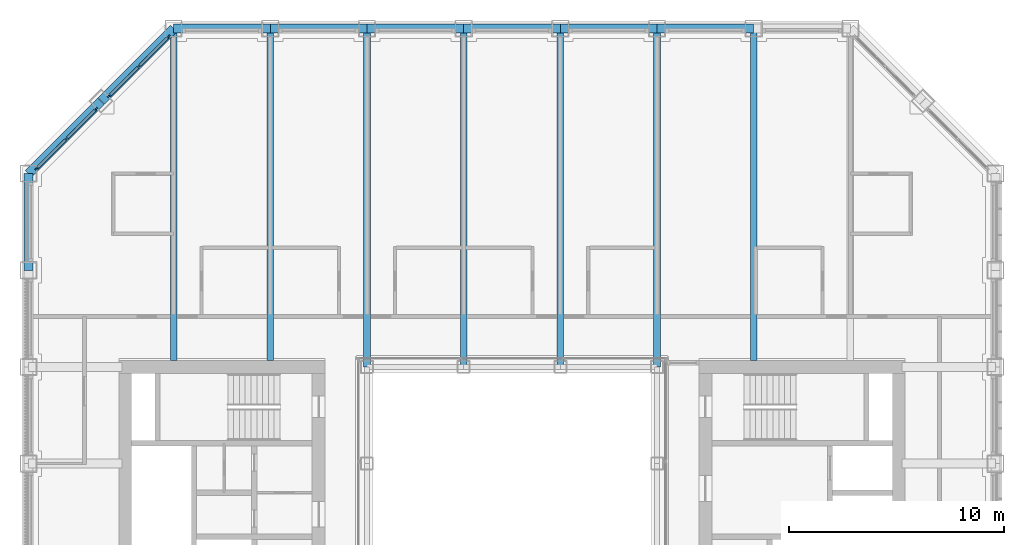
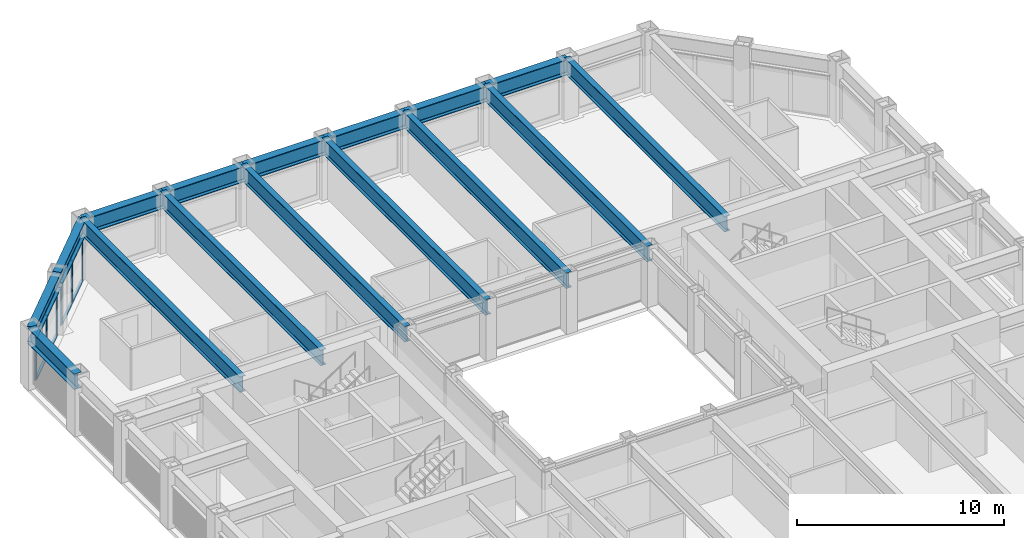
# One storey, part 7 of 17: 16 beams, 14 members, 2 elements without a shape of their own.
"""IFC4 building model written with IfcOpenShell, lengths in metres."""

import ifcopenshell
import ifcopenshell.guid

model = None  # the IFC model being written
_history = None  # IfcOwnerHistory: only IFC2X3 demands one
_inside = {}  # id of a spatial element -> (the spatial element, [elements in it])
_under = {}  # id of a project, library or spatial element -> (it, [spatial elements below it])
_declared = {}  # id of a project -> (the project, [libraries it declares])
_typed = {}  # id of a type object -> (the type object, [elements of that type])
_made_of = {}  # id of a material, layer set ... -> (it, [elements and type objects made of it])


def new_model(schema):
    """Start an empty IFC model of exactly this schema.

    Asked for "IFC4X3", IfcOpenShell would pick the latest addendum, in which some entities
    have other attributes; the version numbers below select the first issue.
    IFC2X3 requires an IfcOwnerHistory on every rooted entity: one is made here for all.
    """
    global model, _history
    if schema == "IFC4X3":
        model = ifcopenshell.file(schema_version=(4, 3, 0, 0))
    else:
        model = ifcopenshell.file(schema=schema)
    _inside.clear()
    _under.clear()
    _declared.clear()
    _typed.clear()
    _made_of.clear()
    _history = None
    if model.schema == "IFC2X3":
        org = make("IfcOrganization", Name="unknown")
        user = make(
            "IfcPersonAndOrganization",
            ThePerson=make("IfcPerson", FamilyName="unknown"),
            TheOrganization=org,
        )
        app = make(
            "IfcApplication",
            ApplicationDeveloper=org,
            Version="unknown",
            ApplicationFullName="unknown",
            ApplicationIdentifier="unknown",
        )
        _history = make(
            "IfcOwnerHistory",
            OwningUser=user,
            OwningApplication=app,
            ChangeAction="ADDED",
            CreationDate=0,
        )
    return model


def make(cls, **values):
    """One entity of the class cls with the attributes given. An attribute that is None is left unset."""
    return model.create_entity(
        cls, **{name: value for name, value in values.items() if value is not None}
    )


def rooted(cls, **values):
    """An entity with a GlobalId (a new one), such as an element, a storey or a relation."""
    return make(cls, GlobalId=ifcopenshell.guid.new(), OwnerHistory=_history, **values)


def si_unit(unit_type, name, prefix=None):
    """IfcSIUnit, for example si_unit("LENGTHUNIT", "METRE", prefix="MILLI")."""
    return make("IfcSIUnit", UnitType=unit_type, Prefix=prefix, Name=name)


def assignment(units):
    """IfcUnitAssignment: the units of a project."""
    return None if units is None else make("IfcUnitAssignment", Units=units)


def point(xyz):
    """IfcCartesianPoint."""
    return None if xyz is None else make("IfcCartesianPoint", Coordinates=xyz)


def direction(xyz):
    """IfcDirection."""
    return None if xyz is None else make("IfcDirection", DirectionRatios=xyz)


def frame(location, z_axis=None, x_axis=None):
    """IfcAxis2Placement3D, a coordinate frame: its origin and axes. An axis left out is left unset."""
    return make(
        "IfcAxis2Placement3D",
        Location=point(location),
        Axis=direction(z_axis),
        RefDirection=direction(x_axis),
    )


def frame_2d(location, x_axis=None):
    """IfcAxis2Placement2D, a coordinate frame in the plane: its origin and x axis."""
    return make(
        "IfcAxis2Placement2D", Location=point(location), RefDirection=direction(x_axis)
    )


def origin():
    """The frame at (0, 0, 0) with its axes left unset."""
    return frame((0.0, 0.0, 0.0))


def origin_2d():
    """The frame at (0, 0) in the plane with its x axis left unset."""
    return frame_2d((0.0, 0.0))


def place(relative_to, where):
    """IfcLocalPlacement: puts the frame where relative to a parent placement (None: the world)."""
    return make(
        "IfcLocalPlacement", PlacementRelTo=relative_to, RelativePlacement=where
    )


def context(
    kind, dimensions, precision=None, world=None, true_north=None, identifier=None
):
    """IfcGeometricRepresentationContext, for example the 3D "Model" context."""
    return make(
        "IfcGeometricRepresentationContext",
        ContextIdentifier=identifier,
        ContextType=kind,
        CoordinateSpaceDimension=dimensions,
        Precision=precision,
        WorldCoordinateSystem=world,
        TrueNorth=true_north,
    )


def subcontext(parent, identifier, kind, view, scale=None):
    """IfcGeometricRepresentationSubContext, for example "Body" below "Model"."""
    return make(
        "IfcGeometricRepresentationSubContext",
        ContextIdentifier=identifier,
        ContextType=kind,
        ParentContext=parent,
        TargetScale=scale,
        TargetView=view,
    )


def project(units=None, contexts=None):
    """IfcProject with its units and contexts."""
    return rooted(
        "IfcProject",
        Name="project",
        RepresentationContexts=contexts,
        UnitsInContext=assignment(units),
    )


def spatial(cls, under=None, at=None, **own):
    """A site, building, storey or space (cls), placed at a placement, below another one or the project."""
    s = rooted(cls, ObjectPlacement=at, **own)
    if under is not None:
        _under.setdefault(under.id(), (under, []))[1].append(s)
    return s


def profile(cls, at=None, kind="AREA", **sizes):
    """A parametric profile (cls). Its sizes go by their IFC names, for example OverallWidth=200.0."""
    return make(cls, ProfileType=kind, Position=at, **sizes)


def rectangle(**sizes):
    """IfcRectangleProfileDef."""
    return profile("IfcRectangleProfileDef", **sizes)


def i_section(**sizes):
    """IfcIShapeProfileDef."""
    return profile("IfcIShapeProfileDef", **sizes)


def extrude(swept, where, along, depth):
    """IfcExtrudedAreaSolid: the profile swept, set in the frame where, extruded along a direction by depth."""
    return make(
        "IfcExtrudedAreaSolid",
        SweptArea=swept,
        Position=where,
        ExtrudedDirection=direction(along),
        Depth=depth,
    )


def shape(context_of_items, identifier, shape_type, items):
    """IfcShapeRepresentation: the items that make up one representation, for example the "Body"."""
    return make(
        "IfcShapeRepresentation",
        ContextOfItems=context_of_items,
        RepresentationIdentifier=identifier,
        RepresentationType=shape_type,
        Items=items,
    )


def material(Name=None, Category=None):
    """IfcMaterial."""
    return make("IfcMaterial", Name=Name, Category=Category)


def material_profile(
    of_material, cross_section, Name=None, Category=None, Priority=None
):
    """IfcMaterialProfile: a cross section and its material."""
    return make(
        "IfcMaterialProfile",
        Name=Name,
        Material=of_material,
        Profile=cross_section,
        Priority=Priority,
        Category=Category,
    )


def profile_set(profiles, Name=None, composite=None):
    """IfcMaterialProfileSet."""
    return make(
        "IfcMaterialProfileSet",
        Name=Name,
        MaterialProfiles=profiles,
        CompositeProfile=composite,
    )


def made_of(thing, what):
    """Note that an element or type object is made of a material, layer set ...; save() writes the relation."""
    if what is not None:
        _made_of.setdefault(what.id(), (what, []))[1].append(thing)
    return thing


def type_object(cls, material=None, **own):
    """A type object (cls), such as IfcWallType, which elements share."""
    return made_of(rooted(cls, **own), material)


def element(
    cls,
    number,
    at=None,
    inside=None,
    cuts=None,
    type_object=None,
    material=None,
    context=None,
    identifier="Body",
    shape_type=None,
    held_by="IfcProductDefinitionShape",
    body=None,
    shapes=None,
    **own,
):
    """One element of the class cls, such as IfcWall. Its Tag is "e" and its number.

    at: its placement. inside: the storey or other place that contains it. cuts: it is an
    opening in that element (IfcRelVoidsElement). A single representation is given by context,
    identifier, shape_type and body (its items); several are given by shapes. held_by: the class
    of the entity that holds the representations. save() writes the other relations.
    """
    e = rooted(cls, Tag="e%d" % number, ObjectPlacement=at, **own)
    if body is not None:
        shapes = [shape(context, identifier, shape_type, body)]
    if shapes is not None:
        e.Representation = make(held_by, Representations=shapes)
    if inside is not None:
        _inside.setdefault(inside.id(), (inside, []))[1].append(e)
    if cuts is not None:
        rooted(
            "IfcRelVoidsElement", RelatingBuildingElement=cuts, RelatedOpeningElement=e
        )
    if type_object is not None:
        _typed.setdefault(type_object.id(), (type_object, []))[1].append(e)
    return made_of(e, material)


def aggregate(whole, parts):
    """IfcRelAggregates: a whole, such as a stair, and the parts it consists of."""
    return rooted("IfcRelAggregates", RelatingObject=whole, RelatedObjects=parts)


def save(model, path):
    """Write the relations noted so far, then the file.

    IfcRelAggregates (storeys below a building ...), IfcRelContainedInSpatialStructure (elements
    in a storey), IfcRelDefinesByType, IfcRelAssociatesMaterial and IfcRelDeclares: one each for
    every whole, place, type object, material and project.
    """
    for whole, parts in _under.values():
        aggregate(whole, parts)
    for where, things in _inside.values():
        rooted(
            "IfcRelContainedInSpatialStructure",
            RelatedElements=things,
            RelatingStructure=where,
        )
    for kind, things in _typed.values():
        rooted("IfcRelDefinesByType", RelatedObjects=things, RelatingType=kind)
    for what, things in _made_of.values():
        rooted("IfcRelAssociatesMaterial", RelatedObjects=things, RelatingMaterial=what)
    for by, libraries in _declared.values():
        rooted("IfcRelDeclares", RelatingContext=by, RelatedDefinitions=libraries)
    model.write(path)


model = new_model("IFC4")

# Units and contexts
model_context = context("Model", 3, precision=1e-05, world=origin(), true_north=direction((0.0, 1.0)))
body_context = subcontext(model_context, "Body", "Model", "MODEL_VIEW")
ifc_project = project(units=[si_unit("LENGTHUNIT", "METRE"), si_unit("AREAUNIT", "SQUARE_METRE"), si_unit("VOLUMEUNIT", "CUBIC_METRE"), si_unit("PLANEANGLEUNIT", "RADIAN"), si_unit("MASSUNIT", "GRAM", prefix="KILO")], contexts=[model_context])

# Site, building, storey
site_placement = place(None, origin())
site = spatial("IfcSite", under=ifc_project, at=site_placement, CompositionType="ELEMENT")
building_placement = place(site_placement, origin())
building = spatial("IfcBuilding", under=site, at=building_placement, Name="Msasa Ring Tower", CompositionType="ELEMENT")
storey_placement = place(building_placement, frame((0.0, 0.0, 147.199951171875)))
storey = spatial("IfcBuildingStorey", under=building, at=storey_placement, Name="L38", CompositionType="ELEMENT", Elevation=147.199951171875)

# Curtain wall, members
ifc_material_1 = material(Name="Aluminium curtain wall with clear glass", Category="aluminium")
curtain_wall_type = type_object("IfcCurtainWallType", Name="CW-C CHAMFER CORNER CURTAIN WALL", PredefinedType="NOTDEFINED", material=ifc_material_1)
curtain_wall_1_placement = place(storey_placement, origin())
curtain_wall_1 = element("IfcCurtainWall", 1, at=curtain_wall_1_placement, inside=storey, type_object=curtain_wall_type, Name="Chamfer corner curtain wall NW L38", PredefinedType="NOTDEFINED")
ifc_material_2 = material(Name="Aluminium mullion", Category="aluminium")
ifc_material_profile_1 = material_profile(ifc_material_2, rectangle(XDim=0.06494140625, YDim=0.179931640625, at=origin_2d()), Name="AL 65x180")
ifc_profile_set_1 = profile_set([ifc_material_profile_1], Name="Aluminium mullion")
member_type_1 = type_object("IfcMemberType", Name="CW-C MULLION 65x180", PredefinedType="MULLION", material=ifc_profile_set_1)
member_1_placement = place(storey_placement, frame((-19.36376953125, 18.744873046875, 0.0), z_axis=(0.0, 0.0, 1.0), x_axis=(0.707106781187, -0.707106781187, 0.0)))
member_1 = element("IfcMember", 2, at=member_1_placement, type_object=member_type_1, Name="CW-C mullion 1", PredefinedType="MULLION", context=body_context, shape_type="SweptSolid", body=[
    extrude(rectangle(XDim=0.06494140625, YDim=0.179931640625, at=origin_2d()), origin(), (0.0, 0.0, 1.0), 2.47900390625),
])
member_2_placement = place(storey_placement, frame((-20.74169921875, 17.36669921875, 0.0), z_axis=(0.0, 0.0, 1.0), x_axis=(0.707106781187, -0.707106781187, 0.0)))
member_2 = element("IfcMember", 3, at=member_2_placement, type_object=member_type_1, Name="CW-C mullion 2", PredefinedType="MULLION", context=body_context, shape_type="SweptSolid", body=[
    extrude(rectangle(XDim=0.06494140625, YDim=0.179931640625, at=origin_2d()), origin(), (0.0, 0.0, 1.0), 2.47900390625),
])
member_3_placement = place(storey_placement, frame((-22.119873046875, 15.98876953125, 0.0), z_axis=(0.0, 0.0, 1.0), x_axis=(0.707106781187, -0.707106781187, 0.0)))
member_3 = element("IfcMember", 4, at=member_3_placement, type_object=member_type_1, Name="CW-C mullion 3", PredefinedType="MULLION", context=body_context, shape_type="SweptSolid", body=[
    extrude(rectangle(XDim=0.06494140625, YDim=0.179931640625, at=origin_2d()), origin(), (0.0, 0.0, 1.0), 2.47900390625),
])

curtain_wall_2_placement = place(storey_placement, origin())
curtain_wall_2 = element("IfcCurtainWall", 5, at=curtain_wall_2_placement, inside=storey, type_object=curtain_wall_type, Name="Chamfer corner curtain wall NW L38", PredefinedType="NOTDEFINED")
member_4_placement = place(storey_placement, frame((-15.98876953125, 22.119873046875, 0.0), z_axis=(0.0, 0.0, 1.0), x_axis=(0.707106781187, -0.707106781187, 0.0)))
member_4 = element("IfcMember", 6, at=member_4_placement, type_object=member_type_1, Name="CW-C mullion 1", PredefinedType="MULLION", context=body_context, shape_type="SweptSolid", body=[
    extrude(rectangle(XDim=0.06494140625, YDim=0.179931640625, at=origin_2d()), origin(), (0.0, 0.0, 1.0), 2.47900390625),
])
member_5_placement = place(storey_placement, frame((-17.36669921875, 20.74169921875, 0.0), z_axis=(0.0, 0.0, 1.0), x_axis=(0.707106781187, -0.707106781187, 0.0)))
member_5 = element("IfcMember", 7, at=member_5_placement, type_object=member_type_1, Name="CW-C mullion 2", PredefinedType="MULLION", context=body_context, shape_type="SweptSolid", body=[
    extrude(rectangle(XDim=0.06494140625, YDim=0.179931640625, at=origin_2d()), origin(), (0.0, 0.0, 1.0), 2.47900390625),
])
member_6_placement = place(storey_placement, frame((-18.744873046875, 19.36376953125, 0.0), z_axis=(0.0, 0.0, 1.0), x_axis=(0.707106781187, -0.707106781187, 0.0)))
member_6 = element("IfcMember", 8, at=member_6_placement, type_object=member_type_1, Name="CW-C mullion 3", PredefinedType="MULLION", context=body_context, shape_type="SweptSolid", body=[
    extrude(rectangle(XDim=0.06494140625, YDim=0.179931640625, at=origin_2d()), origin(), (0.0, 0.0, 1.0), 2.47900390625),
])

# Member
ifc_material_3 = material(Name="Aluminium transom", Category="aluminium")
ifc_material_profile_2 = material_profile(ifc_material_3, rectangle(XDim=0.139892578125, YDim=0.06494140625, at=origin_2d()), Name="AL 65x140")
ifc_profile_set_2 = profile_set([ifc_material_profile_2], Name="Aluminium transom")
member_type_2 = type_object("IfcMemberType", Name="CW-C TRANSOM 65x140", PredefinedType="USERDEFINED", material=ifc_profile_set_2)
member_7_placement = place(storey_placement, frame((-19.38671875, 18.721923828125, 0.032470703125), z_axis=(-0.707106781187, -0.707106781187, 0.0), x_axis=(0.707106781187, -0.707106781187, 0.0)))
member_7 = element("IfcMember", 9, at=member_7_placement, type_object=member_type_2, Name="CW-C transom 1.1", ObjectType="TRANSOM", PredefinedType="USERDEFINED", context=body_context, shape_type="SweptSolid", body=[
    extrude(rectangle(XDim=0.139892578125, YDim=0.06494140625, at=origin_2d()), origin(), (0.0, 0.0, 1.0), 1.8837890625),
])

member_8_placement = place(storey_placement, frame((-19.38671875, 18.721923828125, 2.446533203125), z_axis=(-0.707106781187, -0.707106781187, 0.0), x_axis=(0.707106781187, -0.707106781187, 0.0)))
member_8 = element("IfcMember", 10, at=member_8_placement, type_object=member_type_2, Name="CW-C transom 1.2", ObjectType="TRANSOM", PredefinedType="USERDEFINED", context=body_context, shape_type="SweptSolid", body=[
    extrude(rectangle(XDim=0.139892578125, YDim=0.06494140625, at=origin_2d()), origin(), (0.0, 0.0, 1.0), 1.8837890625),
])

member_9_placement = place(storey_placement, frame((-20.764892578125, 17.34375, 0.032470703125), z_axis=(-0.707106781187, -0.707106781187, 0.0), x_axis=(0.707106781187, -0.707106781187, 0.0)))
member_9 = element("IfcMember", 11, at=member_9_placement, type_object=member_type_2, Name="CW-C transom 2.1", ObjectType="TRANSOM", PredefinedType="USERDEFINED", context=body_context, shape_type="SweptSolid", body=[
    extrude(rectangle(XDim=0.139892578125, YDim=0.06494140625, at=origin_2d()), origin(), (0.0, 0.0, 1.0), 1.8837890625),
])

member_10_placement = place(storey_placement, frame((-20.764892578125, 17.34375, 2.446533203125), z_axis=(-0.707106781187, -0.707106781187, 0.0), x_axis=(0.707106781187, -0.707106781187, 0.0)))
member_10 = element("IfcMember", 12, at=member_10_placement, type_object=member_type_2, Name="CW-C transom 2.2", ObjectType="TRANSOM", PredefinedType="USERDEFINED", context=body_context, shape_type="SweptSolid", body=[
    extrude(rectangle(XDim=0.139892578125, YDim=0.06494140625, at=origin_2d()), origin(), (0.0, 0.0, 1.0), 1.8837890625),
])

aggregate(curtain_wall_1, [member_1, member_2, member_3, member_7, member_8, member_9, member_10])

member_11_placement = place(storey_placement, frame((-16.01171875, 22.096923828125, 0.032470703125), z_axis=(-0.707106781187, -0.707106781187, 0.0), x_axis=(0.707106781187, -0.707106781187, 0.0)))
member_11 = element("IfcMember", 13, at=member_11_placement, type_object=member_type_2, Name="CW-C transom 1.1", ObjectType="TRANSOM", PredefinedType="USERDEFINED", context=body_context, shape_type="SweptSolid", body=[
    extrude(rectangle(XDim=0.139892578125, YDim=0.06494140625, at=origin_2d()), origin(), (0.0, 0.0, 1.0), 1.8837890625),
])

member_12_placement = place(storey_placement, frame((-16.01171875, 22.096923828125, 2.446533203125), z_axis=(-0.707106781187, -0.707106781187, 0.0), x_axis=(0.707106781187, -0.707106781187, 0.0)))
member_12 = element("IfcMember", 14, at=member_12_placement, type_object=member_type_2, Name="CW-C transom 1.2", ObjectType="TRANSOM", PredefinedType="USERDEFINED", context=body_context, shape_type="SweptSolid", body=[
    extrude(rectangle(XDim=0.139892578125, YDim=0.06494140625, at=origin_2d()), origin(), (0.0, 0.0, 1.0), 1.8837890625),
])

member_13_placement = place(storey_placement, frame((-17.389892578125, 20.71875, 0.032470703125), z_axis=(-0.707106781187, -0.707106781187, 0.0), x_axis=(0.707106781187, -0.707106781187, 0.0)))
member_13 = element("IfcMember", 15, at=member_13_placement, type_object=member_type_2, Name="CW-C transom 2.1", ObjectType="TRANSOM", PredefinedType="USERDEFINED", context=body_context, shape_type="SweptSolid", body=[
    extrude(rectangle(XDim=0.139892578125, YDim=0.06494140625, at=origin_2d()), origin(), (0.0, 0.0, 1.0), 1.8837890625),
])

member_14_placement = place(storey_placement, frame((-17.389892578125, 20.71875, 2.446533203125), z_axis=(-0.707106781187, -0.707106781187, 0.0), x_axis=(0.707106781187, -0.707106781187, 0.0)))
member_14 = element("IfcMember", 16, at=member_14_placement, type_object=member_type_2, Name="CW-C transom 2.2", ObjectType="TRANSOM", PredefinedType="USERDEFINED", context=body_context, shape_type="SweptSolid", body=[
    extrude(rectangle(XDim=0.139892578125, YDim=0.06494140625, at=origin_2d()), origin(), (0.0, 0.0, 1.0), 1.8837890625),
])

aggregate(curtain_wall_2, [member_4, member_5, member_6, member_11, member_12, member_13, member_14])

# Beams
ifc_material_4 = material(Name="Steel S355", Category="steel")
ifc_material_profile_3 = material_profile(ifc_material_4, i_section(OverallWidth=0.3076171875, OverallDepth=0.926513671875, WebThickness=0.01953125, FlangeThickness=0.031982421875, FilletRadius=0.01904296875, at=origin_2d()), Name="UB 914x305x289")
ifc_profile_set_3 = profile_set([ifc_material_profile_3], Name="Steel S355")
beam_type_1 = type_object("IfcBeamType", Name="FB3 UB 914x305x289", PredefinedType="BEAM", material=ifc_profile_set_3)
for number, where, z_axis, x_axis, name in (
    (17, (-15.75, 22.5, 2.936767578125), (0.0, -1.0, 0.0), (1.0, 0.0, 0.0), "Floor beam N-15.75 under L39"),
    (18, (-11.25, 22.5, 2.936767578125), (0.0, -1.0, 0.0), (1.0, 0.0, 0.0), "Floor beam N-11.25 under L39"),
):
    element("IfcBeam", number, at=place(storey_placement, frame(where, z_axis=z_axis, x_axis=x_axis)), inside=storey, type_object=beam_type_1, Name=name, PredefinedType="BEAM", context=body_context, shape_type="SweptSolid", body=[
        extrude(i_section(OverallWidth=0.3076171875, OverallDepth=0.926513671875, WebThickness=0.01953125, FlangeThickness=0.031982421875, FilletRadius=0.01904296875, at=origin_2d()), origin(), (0.0, 0.0, 1.0), 15.449951171875),
    ])
for number, where, z_axis, x_axis, name in (
    (19, (-6.75, 22.5, 2.936767578125), (0.0, -1.0, 0.0), (1.0, 0.0, 0.0), "Floor beam N-6.75 under L39"),
    (20, (-2.25, 22.5, 2.936767578125), (0.0, -1.0, 0.0), (1.0, 0.0, 0.0), "Floor beam N-2.25 under L39"),
    (21, (2.25, 22.5, 2.936767578125), (0.0, -1.0, 0.0), (1.0, 0.0, 0.0), "Floor beam N+2.25 under L39"),
    (22, (6.75, 22.5, 2.936767578125), (0.0, -1.0, 0.0), (1.0, 0.0, 0.0), "Floor beam N+6.75 under L39"),
):
    element("IfcBeam", number, at=place(storey_placement, frame(where, z_axis=z_axis, x_axis=x_axis)), inside=storey, type_object=beam_type_1, Name=name, PredefinedType="BEAM", context=body_context, shape_type="SweptSolid", body=[
        extrude(i_section(OverallWidth=0.3076171875, OverallDepth=0.926513671875, WebThickness=0.01953125, FlangeThickness=0.031982421875, FilletRadius=0.01904296875, at=origin_2d()), origin(), (0.0, 0.0, 1.0), 15.75),
    ])
beam_1_placement = place(storey_placement, frame((11.25, 22.5, 2.936767578125), z_axis=(0.0, -1.0, 0.0), x_axis=(1.0, 0.0, 0.0)))
element("IfcBeam", 23, at=beam_1_placement, inside=storey, type_object=beam_type_1, Name="Floor beam N+11.25 under L39", PredefinedType="BEAM", context=body_context, shape_type="SweptSolid", body=[
    extrude(i_section(OverallWidth=0.3076171875, OverallDepth=0.926513671875, WebThickness=0.01953125, FlangeThickness=0.031982421875, FilletRadius=0.01904296875, at=origin_2d()), origin(), (0.0, 0.0, 1.0), 15.449951171875),
])
ifc_material_5 = material(Name="Steel S355", Category="steel")
ifc_material_profile_4 = material_profile(ifc_material_5, i_section(OverallWidth=0.42041015625, OverallDepth=0.9208984375, WebThickness=0.021484375, FlangeThickness=0.03662109375, FilletRadius=0.024169921875, at=origin_2d()), Name="UB 914x419x388")
ifc_profile_set_4 = profile_set([ifc_material_profile_4], Name="Steel S355")
beam_type_2 = type_object("IfcBeamType", Name="SB1 UB 914x419x388", PredefinedType="SPANDREL", material=ifc_profile_set_4)
for number, where, z_axis, x_axis, name in (
    (24, (11.25, 22.5, 2.939453125), (-1.0, 0.0, 0.0), (0.0, -1.0, 0.0), "Spandrel N+11.25 to N+6.75 under L39"),
    (25, (6.75, 22.5, 2.939453125), (-1.0, 0.0, 0.0), (0.0, -1.0, 0.0), "Spandrel N+6.75 to N+2.25 under L39"),
    (26, (2.25, 22.5, 2.939453125), (-1.0, 0.0, 0.0), (0.0, -1.0, 0.0), "Spandrel N+2.25 to N-2.25 under L39"),
    (27, (-2.25, 22.5, 2.939453125), (-1.0, 0.0, 0.0), (0.0, -1.0, 0.0), "Spandrel N-2.25 to N-6.75 under L39"),
    (28, (-6.75, 22.5, 2.939453125), (-1.0, 0.0, 0.0), (0.0, -1.0, 0.0), "Spandrel N-6.75 to N-11.25 under L39"),
    (29, (-11.25, 22.5, 2.939453125), (-1.0, 0.0, 0.0), (0.0, -1.0, 0.0), "Spandrel N-11.25 to N-15.75 under L39"),
):
    element("IfcBeam", number, at=place(storey_placement, frame(where, z_axis=z_axis, x_axis=x_axis)), inside=storey, type_object=beam_type_2, Name=name, PredefinedType="SPANDREL", context=body_context, shape_type="SweptSolid", body=[
        extrude(i_section(OverallWidth=0.42041015625, OverallDepth=0.9208984375, WebThickness=0.021484375, FlangeThickness=0.03662109375, FilletRadius=0.024169921875, at=origin_2d()), origin(), (0.0, 0.0, 1.0), 4.5),
    ])
for number, where, z_axis, x_axis, name in (
    (30, (-15.75, 22.5, 2.939453125), (-0.707106781187, -0.707106781187, 0.0), (0.707106781187, -0.707106781187, 0.0), "Spandrel N-15.75 to NW under L39"),
    (31, (-19.125, 19.125, 2.939453125), (-0.707106781187, -0.707106781187, 0.0), (0.707106781187, -0.707106781187, 0.0), "Spandrel NW to W+15.75 under L39"),
):
    element("IfcBeam", number, at=place(storey_placement, frame(where, z_axis=z_axis, x_axis=x_axis)), inside=storey, type_object=beam_type_2, Name=name, PredefinedType="SPANDREL", context=body_context, shape_type="SweptSolid", body=[
        extrude(i_section(OverallWidth=0.42041015625, OverallDepth=0.9208984375, WebThickness=0.021484375, FlangeThickness=0.03662109375, FilletRadius=0.024169921875, at=origin_2d()), origin(), (0.0, 0.0, 1.0), 4.77294921875),
    ])
beam_2_placement = place(storey_placement, frame((-22.5, 15.75, 2.939453125), z_axis=(0.0, -1.0, 0.0), x_axis=(1.0, 0.0, 0.0)))
element("IfcBeam", 32, at=beam_2_placement, inside=storey, type_object=beam_type_2, Name="Spandrel W+15.75 to W+11.25 under L39", PredefinedType="SPANDREL", context=body_context, shape_type="SweptSolid", body=[
    extrude(i_section(OverallWidth=0.42041015625, OverallDepth=0.9208984375, WebThickness=0.021484375, FlangeThickness=0.03662109375, FilletRadius=0.024169921875, at=origin_2d()), origin(), (0.0, 0.0, 1.0), 4.5),
])

save(model, "model.ifc")
